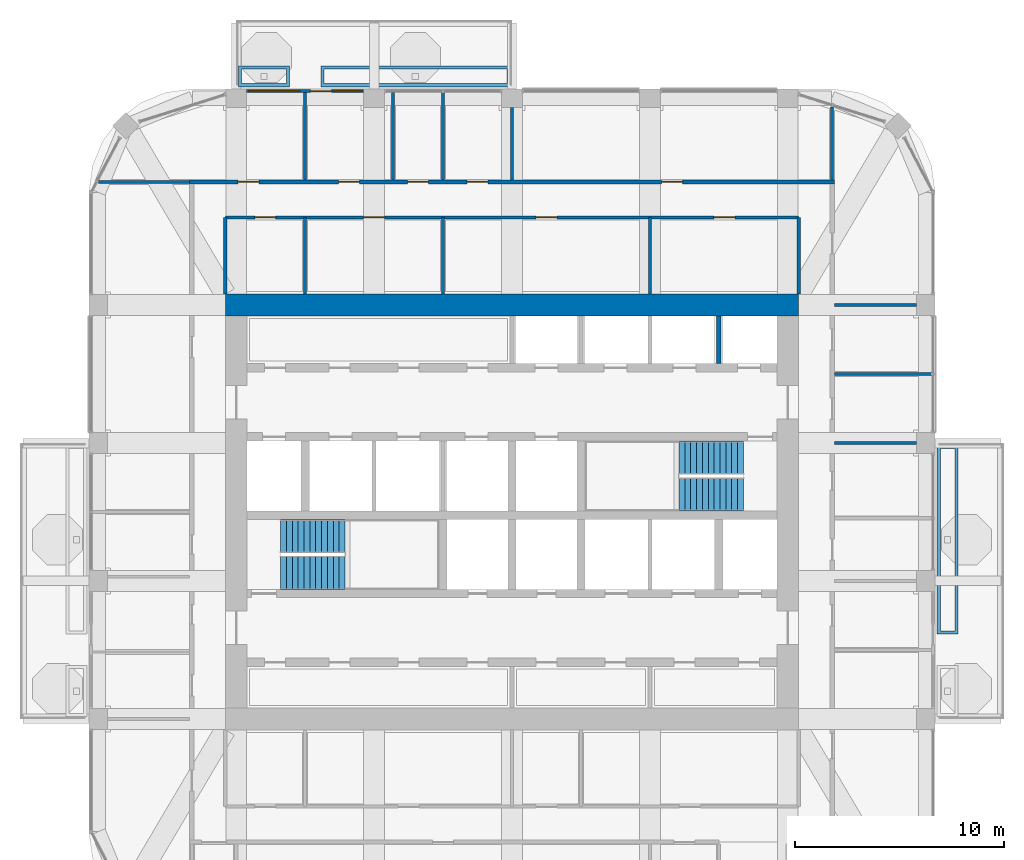
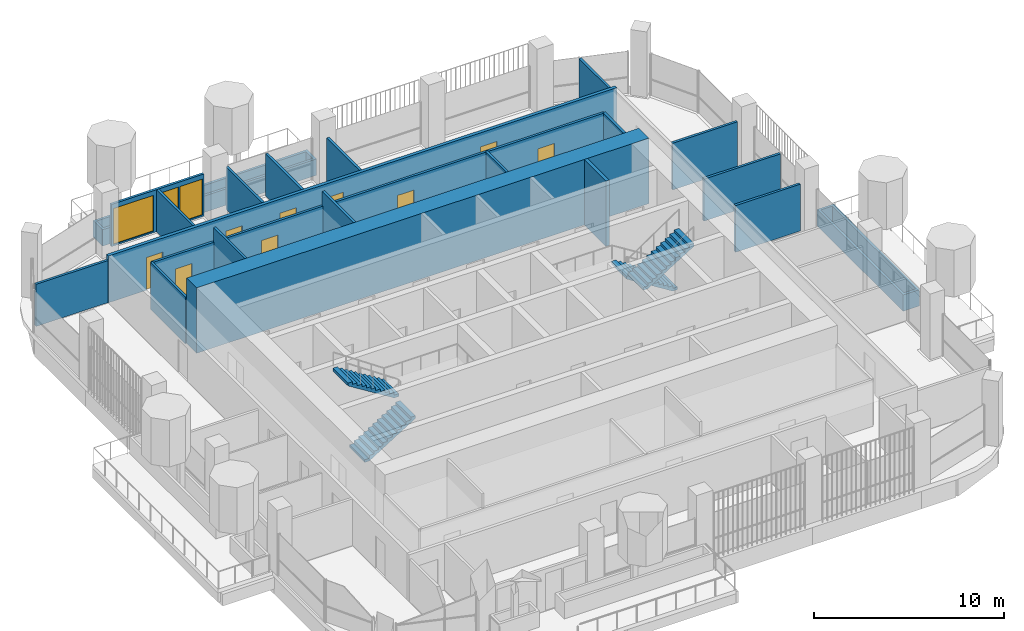
# One storey, part 15 of 20: 22 walls, 10 doors, 4 stair flights, 2 windows, 12 openings, 2 elements without a shape of their own.
"""IFC4 building model written with IfcOpenShell, lengths in metres."""

from ifc_helpers import new_model, si_unit, direction, frame, frame_2d, origin, place, context, subcontext, project, spatial, polyline, rectangle, outline, extrude, material, layer, layer_set, type_object, element, fill, aggregate, save


model = new_model("IFC4")

# Units and contexts
model_context = context("Model", 3, precision=1e-05, world=origin(), true_north=direction((0.0, 1.0)))
body_context = subcontext(model_context, "Body", "Model", "MODEL_VIEW")
ifc_project = project(units=[si_unit("LENGTHUNIT", "METRE"), si_unit("AREAUNIT", "SQUARE_METRE"), si_unit("VOLUMEUNIT", "CUBIC_METRE"), si_unit("PLANEANGLEUNIT", "RADIAN"), si_unit("MASSUNIT", "GRAM", prefix="KILO")], contexts=[model_context])

# Site, building, storey
site_placement = place(None, origin())
site = spatial("IfcSite", under=ifc_project, at=site_placement, CompositionType="ELEMENT")
building_placement = place(site_placement, origin())
building = spatial("IfcBuilding", under=site, at=building_placement, Name="Cobogo Forest Laboratory Tower", CompositionType="ELEMENT")
storey_placement = place(building_placement, frame((0.0, 0.0, 279.60009765625)))
storey = spatial("IfcBuildingStorey", under=building, at=storey_placement, Name="L64", CompositionType="ELEMENT", Elevation=279.60009765625)

# Wall
ifc_material_1 = material(Name="Concrete HA-50 (C50/60)", Category="concrete")
ifc_layer_1 = layer(ifc_material_1, 1.050048828125)
ifc_layer_set_1 = layer_set([ifc_layer_1], Name="CW1050 core outer wall 1050")
wall_type_1 = type_object("IfcWallType", Name="CW1050 core outer wall 1050", PredefinedType="SHEAR", material=ifc_layer_set_1)
wall_1_placement = place(storey_placement, frame((40.125, 33.0, 0.0), z_axis=(0.0, 0.0, 1.0), x_axis=(-1.0, 0.0, 0.0)))
element("IfcWall", 1, at=wall_1_placement, inside=storey, type_object=wall_type_1, Name="Core wall CO-N L64", PredefinedType="SHEAR", context=body_context, shape_type="SweptSolid", body=[
    extrude(rectangle(XDim=27.449951171875, YDim=1.050048828125, at=frame_2d((13.72509765625, 0.0))), origin(), (0.0, 0.0, 1.0), 4.199951171875),
])

# Wall, openings, door, windows
ifc_material_2 = material(Name="Aluminium framed glazed screen", Category="aluminium")
ifc_layer_2 = layer(ifc_material_2, 0.14990234375)
ifc_layer_set_2 = layer_set([ifc_layer_2], Name="GS1 glazed door screen 150")
wall_type_2 = type_object("IfcWallType", Name="GS1 glazed door screen 150", PredefinedType="SOLIDWALL", material=ifc_layer_set_2)
wall_2_placement = place(storey_placement, frame((19.300048828125, 43.25, 0.0), z_axis=(0.0, 0.0, 1.0), x_axis=(-1.0, 0.0, 0.0)))
wall_2 = element("IfcWall", 2, at=wall_2_placement, inside=storey, type_object=wall_type_2, Name="Door screen BAL-N1 L64", PredefinedType="SOLIDWALL", context=body_context, shape_type="SweptSolid", body=[
    extrude(rectangle(XDim=5.60009765625, YDim=0.14990234375, at=frame_2d((2.800048828125, 0.0))), origin(), (0.0, 0.0, 1.0), 2.699951171875),
])
opening_1_placement = place(wall_2_placement, frame((1.550048828125, 0.0, 0.0)))
opening_1 = element("IfcOpeningElement", 3, at=opening_1_placement, cuts=wall_2, Name="Opening L64-D53", PredefinedType="OPENING", context=body_context, shape_type="SweptSolid", body=[
    extrude(rectangle(XDim=1.0, YDim=2.39990234375, at=frame_2d((0.5, 1.199951171875))), frame((0.0, 0.0849609375, 0.0), z_axis=(0.0, -1.0, 0.0), x_axis=(1.0, 0.0, 0.0)), (0.0, 0.0, 1.0), 0.169921875),
])
opening_2_placement = place(wall_2_placement, frame((0.10009765625, 0.0, 0.10009765625)))
opening_2 = element("IfcOpeningElement", 4, at=opening_2_placement, cuts=wall_2, Name="Opening L64-W08", PredefinedType="OPENING", context=body_context, shape_type="SweptSolid", body=[
    extrude(rectangle(XDim=1.35009765625, YDim=2.300048828125, at=frame_2d((0.675048828125, 1.14990234375))), frame((0.0, 0.0849609375, 0.0), z_axis=(0.0, -1.0, 0.0), x_axis=(1.0, 0.0, 0.0)), (0.0, 0.0, 1.0), 0.169921875),
])
opening_3_placement = place(wall_2_placement, frame((3.050048828125, 0.0, 0.10009765625)))
opening_3 = element("IfcOpeningElement", 5, at=opening_3_placement, cuts=wall_2, Name="Opening L64-W07", PredefinedType="OPENING", context=body_context, shape_type="SweptSolid", body=[
    extrude(rectangle(XDim=2.449951171875, YDim=2.300048828125, at=frame_2d((1.22509765625, 1.14990234375))), frame((0.0, 0.0849609375, 0.0), z_axis=(0.0, -1.0, 0.0), x_axis=(1.0, 0.0, 0.0)), (0.0, 0.0, 1.0), 0.169921875),
])
ifc_material_3 = material(Name="Aluminium glazed door", Category="aluminium")
door_type_1 = type_object("IfcDoorType", Name="DB1 balcony door 1000 glazed", OperationType="SINGLE_SWING_LEFT", PredefinedType="DOOR", material=ifc_material_3)
door_1_placement = place(opening_1_placement, origin())
door_1 = element("IfcDoor", 6, at=door_1_placement, inside=storey, type_object=door_type_1, Name="Door L64-BAL-N1", OperationType="SINGLE_SWING_LEFT", OverallHeight=2.39990234375, OverallWidth=1.0, PredefinedType="DOOR", context=body_context, shape_type="SweptSolid", body=[
    extrude(rectangle(XDim=1.0, YDim=2.39990234375, at=frame_2d((0.5, 1.199951171875))), frame((0.0, 0.02490234375, 0.0), z_axis=(0.0, -1.0, 0.0), x_axis=(1.0, 0.0, 0.0)), (0.0, 0.0, 1.0), 0.050048828125),
])
fill(opening_1, door_1)
ifc_material_4 = material(Name="Aluminium framed glazing", Category="aluminium")
window_type_1 = type_object("IfcWindowType", Name="WG23 fixed glazed light 2450x2300", PartitioningType="SINGLE_PANEL", PredefinedType="WINDOW", material=ifc_material_4)
window_1_placement = place(opening_3_placement, origin())
window_1 = element("IfcWindow", 7, at=window_1_placement, inside=storey, type_object=window_type_1, Name="Window L64-BAL-N1-2", OverallHeight=2.300048828125, OverallWidth=2.449951171875, PartitioningType="SINGLE_PANEL", PredefinedType="WINDOW", context=body_context, shape_type="SweptSolid", body=[
    extrude(rectangle(XDim=2.449951171875, YDim=2.300048828125, at=frame_2d((1.22509765625, 1.14990234375))), frame((0.0, 0.030029296875, 0.0), z_axis=(0.0, -1.0, 0.0), x_axis=(1.0, 0.0, 0.0)), (0.0, 0.0, 1.0), 0.06005859375),
])
fill(opening_3, window_1)
window_type_2 = type_object("IfcWindowType", Name="WG24 fixed glazed light 1350x2300", PartitioningType="SINGLE_PANEL", PredefinedType="WINDOW", material=ifc_material_4)
window_2_placement = place(opening_2_placement, origin())
window_2 = element("IfcWindow", 8, at=window_2_placement, inside=storey, type_object=window_type_2, Name="Window L64-BAL-N1-1", OverallHeight=2.300048828125, OverallWidth=1.35009765625, PartitioningType="SINGLE_PANEL", PredefinedType="WINDOW", context=body_context, shape_type="SweptSolid", body=[
    extrude(rectangle(XDim=1.35009765625, YDim=2.300048828125, at=frame_2d((0.675048828125, 1.14990234375))), frame((0.0, 0.030029296875, 0.0), z_axis=(0.0, -1.0, 0.0), x_axis=(1.0, 0.0, 0.0)), (0.0, 0.0, 1.0), 0.06005859375),
])
fill(opening_2, window_2)

# Wall, openings, doors
ifc_material_5 = material(Name="Gypsum board on steel studs", Category="steel")
ifc_layer_3 = layer(ifc_material_5, 0.14990234375)
ifc_layer_set_3 = layer_set([ifc_layer_3], Name="PT1 laboratory partition 150")
wall_type_3 = type_object("IfcWallType", Name="PT1 laboratory partition 150", PredefinedType="PARTITIONING", material=ifc_layer_set_3)
wall_3_placement = place(storey_placement, frame((12.675048828125, 37.199951171875, 0.0), z_axis=(0.0, 0.0, 1.0), x_axis=(1.0, 0.0, 0.0)))
wall_3 = element("IfcWall", 9, at=wall_3_placement, inside=storey, type_object=wall_type_3, Name="Partition CSTRIP-N L64", PredefinedType="PARTITIONING", context=body_context, shape_type="SweptSolid", body=[
    extrude(rectangle(XDim=27.449951171875, YDim=0.14990234375, at=frame_2d((13.72509765625, 0.0))), origin(), (0.0, 0.0, 1.0), 3.0),
])
opening_4_placement = place(wall_3_placement, frame((1.41259765625, 0.0, 0.0)))
opening_4 = element("IfcOpeningElement", 10, at=opening_4_placement, cuts=wall_3, Name="Opening L64-D44", PredefinedType="OPENING", context=body_context, shape_type="SweptSolid", body=[
    extrude(rectangle(XDim=1.0, YDim=2.10009765625, at=frame_2d((0.5, 1.050048828125))), frame((0.0, 0.0849609375, 0.0), z_axis=(0.0, -1.0, 0.0), x_axis=(1.0, 0.0, 0.0)), (0.0, 0.0, 1.0), 0.169921875),
])
opening_5_placement = place(wall_3_placement, frame((6.625, 0.0, 0.0)))
opening_5 = element("IfcOpeningElement", 11, at=opening_5_placement, cuts=wall_3, Name="Opening L64-D45", PredefinedType="OPENING", context=body_context, shape_type="SweptSolid", body=[
    extrude(rectangle(XDim=1.0, YDim=2.10009765625, at=frame_2d((0.5, 1.050048828125))), frame((0.0, 0.0849609375, 0.0), z_axis=(0.0, -1.0, 0.0), x_axis=(1.0, 0.0, 0.0)), (0.0, 0.0, 1.0), 0.169921875),
])
opening_6_placement = place(wall_3_placement, frame((14.875, 0.0, 0.0)))
opening_6 = element("IfcOpeningElement", 12, at=opening_6_placement, cuts=wall_3, Name="Opening L64-D46", PredefinedType="OPENING", context=body_context, shape_type="SweptSolid", body=[
    extrude(rectangle(XDim=1.0, YDim=2.10009765625, at=frame_2d((0.5, 1.050048828125))), frame((0.0, 0.0849609375, 0.0), z_axis=(0.0, -1.0, 0.0), x_axis=(1.0, 0.0, 0.0)), (0.0, 0.0, 1.0), 0.169921875),
])
opening_7_placement = place(wall_3_placement, frame((23.387451171875, 0.0, 0.0)))
opening_7 = element("IfcOpeningElement", 13, at=opening_7_placement, cuts=wall_3, Name="Opening L64-D47", PredefinedType="OPENING", context=body_context, shape_type="SweptSolid", body=[
    extrude(rectangle(XDim=1.0, YDim=2.10009765625, at=frame_2d((0.5, 1.050048828125))), frame((0.0, 0.0849609375, 0.0), z_axis=(0.0, -1.0, 0.0), x_axis=(1.0, 0.0, 0.0)), (0.0, 0.0, 1.0), 0.169921875),
])
ifc_material_6 = material(Name="Timber fire door", Category="wood")
door_type_2 = type_object("IfcDoorType", Name="FD2 fire door 1000 EI2 30", OperationType="SINGLE_SWING_LEFT", PredefinedType="DOOR", material=ifc_material_6)
door_2_placement = place(opening_4_placement, origin())
door_2 = element("IfcDoor", 14, at=door_2_placement, inside=storey, type_object=door_type_2, Name="Door L64-CSN1", OperationType="SINGLE_SWING_LEFT", OverallHeight=2.10009765625, OverallWidth=1.0, PredefinedType="DOOR", context=body_context, shape_type="SweptSolid", body=[
    extrude(rectangle(XDim=1.0, YDim=2.10009765625, at=frame_2d((0.5, 1.050048828125))), frame((0.0, 0.02490234375, 0.0), z_axis=(0.0, -1.0, 0.0), x_axis=(1.0, 0.0, 0.0)), (0.0, 0.0, 1.0), 0.050048828125),
])
fill(opening_4, door_2)
door_3_placement = place(opening_5_placement, origin())
door_3 = element("IfcDoor", 15, at=door_3_placement, inside=storey, type_object=door_type_2, Name="Door L64-CSN2", OperationType="SINGLE_SWING_LEFT", OverallHeight=2.10009765625, OverallWidth=1.0, PredefinedType="DOOR", context=body_context, shape_type="SweptSolid", body=[
    extrude(rectangle(XDim=1.0, YDim=2.10009765625, at=frame_2d((0.5, 1.050048828125))), frame((0.0, 0.02490234375, 0.0), z_axis=(0.0, -1.0, 0.0), x_axis=(1.0, 0.0, 0.0)), (0.0, 0.0, 1.0), 0.050048828125),
])
fill(opening_5, door_3)
door_4_placement = place(opening_6_placement, origin())
door_4 = element("IfcDoor", 16, at=door_4_placement, inside=storey, type_object=door_type_2, Name="Door L64-CSN3", OperationType="SINGLE_SWING_RIGHT", OverallHeight=2.10009765625, OverallWidth=1.0, PredefinedType="DOOR", context=body_context, shape_type="SweptSolid", body=[
    extrude(rectangle(XDim=1.0, YDim=2.10009765625, at=frame_2d((0.5, 1.050048828125))), frame((0.0, 0.02490234375, 0.0), z_axis=(0.0, -1.0, 0.0), x_axis=(1.0, 0.0, 0.0)), (0.0, 0.0, 1.0), 0.050048828125),
])
fill(opening_6, door_4)
door_5_placement = place(opening_7_placement, origin())
door_5 = element("IfcDoor", 17, at=door_5_placement, inside=storey, type_object=door_type_2, Name="Door L64-CSN4", OperationType="SINGLE_SWING_RIGHT", OverallHeight=2.10009765625, OverallWidth=1.0, PredefinedType="DOOR", context=body_context, shape_type="SweptSolid", body=[
    extrude(rectangle(XDim=1.0, YDim=2.10009765625, at=frame_2d((0.5, 1.050048828125))), frame((0.0, 0.02490234375, 0.0), z_axis=(0.0, -1.0, 0.0), x_axis=(1.0, 0.0, 0.0)), (0.0, 0.0, 1.0), 0.050048828125),
])
fill(opening_7, door_5)

# Walls
for number, where, z_axis, x_axis, name in (
    (18, (12.675048828125, 33.52490234375, 0.0), (0.0, 0.0, 1.0), (0.0, 1.0, 0.0), "Partition CSTRIP-NW L64"),
    (19, (40.125, 33.52490234375, 0.0), (0.0, 0.0, 1.0), (0.0, 1.0, 0.0), "Partition CSTRIP-NE L64"),
):
    element("IfcWall", number, at=place(storey_placement, frame(where, z_axis=z_axis, x_axis=x_axis)), inside=storey, type_object=wall_type_3, Name=name, PredefinedType="PARTITIONING", context=body_context, shape_type="SweptSolid", body=[
        extrude(rectangle(XDim=3.675048828125, YDim=0.14990234375, at=frame_2d((1.83740234375, 0.0))), origin(), (0.0, 0.0, 1.0), 3.0),
    ])
for number, where, z_axis, x_axis, name in (
    (20, (16.5, 33.52490234375, 0.0), (0.0, 0.0, 1.0), (0.0, 1.0, 0.0), "Partition CSTRIP-N16.5 L64"),
    (21, (23.10009765625, 33.52490234375, 0.0), (0.0, 0.0, 1.0), (0.0, 1.0, 0.0), "Partition CSTRIP-N23.1 L64"),
):
    element("IfcWall", number, at=place(storey_placement, frame(where, z_axis=z_axis, x_axis=x_axis)), inside=storey, type_object=wall_type_3, Name=name, PredefinedType="PARTITIONING", context=body_context, shape_type="SweptSolid", body=[
        extrude(rectangle(XDim=3.675048828125, YDim=0.14990234375, at=frame_2d((1.83740234375, 0.0))), origin(), (0.0, 0.0, 1.0), 3.89990234375),
    ])
wall_4_placement = place(storey_placement, frame((33.0, 33.52490234375, 0.0), z_axis=(0.0, 0.0, 1.0), x_axis=(0.0, 1.0, 0.0)))
element("IfcWall", 22, at=wall_4_placement, inside=storey, type_object=wall_type_3, Name="Partition CSTRIP-N33 L64", PredefinedType="PARTITIONING", context=body_context, shape_type="SweptSolid", body=[
    extrude(rectangle(XDim=3.675048828125, YDim=0.14990234375, at=frame_2d((1.83740234375, 0.0))), origin(), (0.0, 0.0, 1.0), 3.0),
])
wall_5_placement = place(storey_placement, frame((41.72509765625, 42.4951171875, 0.0), z_axis=(0.0, 0.0, 1.0), x_axis=(0.0, -1.0, 0.0)))
element("IfcWall", 23, at=wall_5_placement, inside=storey, type_object=wall_type_3, Name="Partition PW-NE L64", PredefinedType="PARTITIONING", context=body_context, shape_type="SweptSolid", body=[
    extrude(rectangle(XDim=3.4951171875, YDim=0.14990234375, at=frame_2d((1.74755859375, 0.0))), origin(), (0.0, 0.0, 1.0), 2.699951171875),
])
wall_6_placement = place(storey_placement, frame((6.6025390625, 38.89990234375, 0.0), z_axis=(0.0, 0.0, 1.0), x_axis=(1.0, 0.0, 0.0)))
element("IfcWall", 24, at=wall_6_placement, inside=storey, type_object=wall_type_3, Name="Partition PW-NW L64", PredefinedType="PARTITIONING", context=body_context, shape_type="SweptSolid", body=[
    extrude(rectangle(XDim=4.37255859375, YDim=0.14990234375, at=frame_2d((2.186279296875, 0.0))), origin(), (0.0, 0.0, 1.0), 2.699951171875),
])
wall_7_placement = place(storey_placement, frame((45.75, 26.39990234375, 0.0), z_axis=(0.0, 0.0, 1.0), x_axis=(-1.0, 0.0, 0.0)))
element("IfcWall", 25, at=wall_7_placement, inside=storey, type_object=wall_type_3, Name="Partition SVC-E2-1 L64", PredefinedType="PARTITIONING", context=body_context, shape_type="SweptSolid", body=[
    extrude(rectangle(XDim=3.925048828125, YDim=0.14990234375, at=frame_2d((1.96240234375, 0.0))), origin(), (0.0, 0.0, 1.0), 3.0),
])
wall_8_placement = place(storey_placement, frame((46.469970703125, 29.699951171875, 0.0), z_axis=(0.0, 0.0, 1.0), x_axis=(-1.0, 0.0, 0.0)))
element("IfcWall", 26, at=wall_8_placement, inside=storey, type_object=wall_type_3, Name="Partition CUT-E29.7-1 L64", PredefinedType="PARTITIONING", context=body_context, shape_type="SweptSolid", body=[
    extrude(rectangle(XDim=4.64501953125, YDim=0.14990234375, at=frame_2d((2.322509765625, 0.0))), origin(), (0.0, 0.0, 1.0), 2.699951171875),
])
wall_9_placement = place(storey_placement, frame((45.75, 33.0, 0.0), z_axis=(0.0, 0.0, 1.0), x_axis=(-1.0, 0.0, 0.0)))
element("IfcWall", 27, at=wall_9_placement, inside=storey, type_object=wall_type_3, Name="Partition CUT-E33-1 L64", PredefinedType="PARTITIONING", context=body_context, shape_type="SweptSolid", body=[
    extrude(rectangle(XDim=3.925048828125, YDim=0.14990234375, at=frame_2d((1.96240234375, 0.0))), origin(), (0.0, 0.0, 1.0), 3.0),
])
for number, where, z_axis, x_axis, name in (
    (28, (20.699951171875, 43.169921875, 0.0), (0.0, 0.0, 1.0), (0.0, -1.0, 0.0), "Partition SVC-N1-1 L64"),
    (29, (23.10009765625, 43.169921875, 0.0), (0.0, 0.0, 1.0), (0.0, -1.0, 0.0), "Partition SVC-N2-1 L64"),
    (30, (16.5, 43.169921875, 0.0), (0.0, 0.0, 1.0), (0.0, -1.0, 0.0), "Partition CUT-N16.5-1 L64"),
):
    element("IfcWall", number, at=place(storey_placement, frame(where, z_axis=z_axis, x_axis=x_axis)), inside=storey, type_object=wall_type_3, Name=name, PredefinedType="PARTITIONING", context=body_context, shape_type="SweptSolid", body=[
        extrude(rectangle(XDim=4.169921875, YDim=0.14990234375, at=frame_2d((2.0849609375, 0.0))), origin(), (0.0, 0.0, 1.0), 2.699951171875),
    ])
wall_10_placement = place(storey_placement, frame((26.39990234375, 42.449951171875, 0.0), z_axis=(0.0, 0.0, 1.0), x_axis=(0.0, -1.0, 0.0)))
element("IfcWall", 31, at=wall_10_placement, inside=storey, type_object=wall_type_3, Name="Partition CUT-N26.4-1 L64", PredefinedType="PARTITIONING", context=body_context, shape_type="SweptSolid", body=[
    extrude(rectangle(XDim=3.449951171875, YDim=0.14990234375, at=frame_2d((1.72509765625, 0.0))), origin(), (0.0, 0.0, 1.0), 3.0),
])

# Wall, openings, doors
ifc_layer_4 = layer(ifc_material_5, 0.199951171875)
ifc_layer_set_4 = layer_set([ifc_layer_4], Name="PT2 fire-rated corridor partition 200")
wall_type_4 = type_object("IfcWallType", Name="PT2 fire-rated corridor partition 200", PredefinedType="PARTITIONING", material=ifc_layer_set_4)
wall_11_placement = place(storey_placement, frame((10.97509765625, 38.89990234375, 0.0), z_axis=(0.0, 0.0, 1.0), x_axis=(1.0, 0.0, 0.0)))
wall_11 = element("IfcWall", 32, at=wall_11_placement, inside=storey, type_object=wall_type_4, Name="Partition CORR-N L64", PredefinedType="PARTITIONING", context=body_context, shape_type="SweptSolid", body=[
    extrude(rectangle(XDim=30.849853515625, YDim=0.199951171875, at=frame_2d((15.4248046875, 0.0))), origin(), (0.0, 0.0, 1.0), 3.0),
])
opening_8_placement = place(wall_11_placement, frame((2.3125, 0.0, 0.0)))
opening_8 = element("IfcOpeningElement", 33, at=opening_8_placement, cuts=wall_11, Name="Opening L64-D48", PredefinedType="OPENING", context=body_context, shape_type="SweptSolid", body=[
    extrude(rectangle(XDim=1.0, YDim=2.10009765625, at=frame_2d((0.5, 1.050048828125))), frame((0.0, 0.10986328125, 0.0), z_axis=(0.0, -1.0, 0.0), x_axis=(1.0, 0.0, 0.0)), (0.0, 0.0, 1.0), 0.219970703125),
])
opening_9_placement = place(wall_11_placement, frame((7.125, 0.0, 0.0)))
opening_9 = element("IfcOpeningElement", 34, at=opening_9_placement, cuts=wall_11, Name="Opening L64-D49", PredefinedType="OPENING", context=body_context, shape_type="SweptSolid", body=[
    extrude(rectangle(XDim=1.0, YDim=2.10009765625, at=frame_2d((0.5, 1.050048828125))), frame((0.0, 0.10986328125, 0.0), z_axis=(0.0, -1.0, 0.0), x_axis=(1.0, 0.0, 0.0)), (0.0, 0.0, 1.0), 0.219970703125),
])
opening_10_placement = place(wall_11_placement, frame((10.425048828125, 0.0, 0.0)))
opening_10 = element("IfcOpeningElement", 35, at=opening_10_placement, cuts=wall_11, Name="Opening L64-D50", PredefinedType="OPENING", context=body_context, shape_type="SweptSolid", body=[
    extrude(rectangle(XDim=1.0, YDim=2.10009765625, at=frame_2d((0.5, 1.050048828125))), frame((0.0, 0.10986328125, 0.0), z_axis=(0.0, -1.0, 0.0), x_axis=(1.0, 0.0, 0.0)), (0.0, 0.0, 1.0), 0.219970703125),
])
opening_11_placement = place(wall_11_placement, frame((13.27490234375, 0.0, 0.0)))
opening_11 = element("IfcOpeningElement", 36, at=opening_11_placement, cuts=wall_11, Name="Opening L64-D51", PredefinedType="OPENING", context=body_context, shape_type="SweptSolid", body=[
    extrude(rectangle(XDim=1.0, YDim=2.10009765625, at=frame_2d((0.5, 1.050048828125))), frame((0.0, 0.10986328125, 0.0), z_axis=(0.0, -1.0, 0.0), x_axis=(1.0, 0.0, 0.0)), (0.0, 0.0, 1.0), 0.219970703125),
])
opening_12_placement = place(wall_11_placement, frame((22.58740234375, 0.0, 0.0)))
opening_12 = element("IfcOpeningElement", 37, at=opening_12_placement, cuts=wall_11, Name="Opening L64-D52", PredefinedType="OPENING", context=body_context, shape_type="SweptSolid", body=[
    extrude(rectangle(XDim=1.0, YDim=2.10009765625, at=frame_2d((0.5, 1.050048828125))), frame((0.0, 0.10986328125, 0.0), z_axis=(0.0, -1.0, 0.0), x_axis=(1.0, 0.0, 0.0)), (0.0, 0.0, 1.0), 0.219970703125),
])
door_6_placement = place(opening_8_placement, origin())
door_6 = element("IfcDoor", 38, at=door_6_placement, inside=storey, type_object=door_type_2, Name="Door L64-N1", OperationType="SINGLE_SWING_LEFT", OverallHeight=2.10009765625, OverallWidth=1.0, PredefinedType="DOOR", context=body_context, shape_type="SweptSolid", body=[
    extrude(rectangle(XDim=1.0, YDim=2.10009765625, at=frame_2d((0.5, 1.050048828125))), frame((0.0, 0.02490234375, 0.0), z_axis=(0.0, -1.0, 0.0), x_axis=(1.0, 0.0, 0.0)), (0.0, 0.0, 1.0), 0.050048828125),
])
fill(opening_8, door_6)
door_7_placement = place(opening_9_placement, origin())
door_7 = element("IfcDoor", 39, at=door_7_placement, inside=storey, type_object=door_type_2, Name="Door L64-MTG", OperationType="SINGLE_SWING_LEFT", OverallHeight=2.10009765625, OverallWidth=1.0, PredefinedType="DOOR", context=body_context, shape_type="SweptSolid", body=[
    extrude(rectangle(XDim=1.0, YDim=2.10009765625, at=frame_2d((0.5, 1.050048828125))), frame((0.0, 0.02490234375, 0.0), z_axis=(0.0, -1.0, 0.0), x_axis=(1.0, 0.0, 0.0)), (0.0, 0.0, 1.0), 0.050048828125),
])
fill(opening_9, door_7)
door_8_placement = place(opening_10_placement, origin())
door_8 = element("IfcDoor", 40, at=door_8_placement, inside=storey, type_object=door_type_2, Name="Door L64-PAN", OperationType="SINGLE_SWING_LEFT", OverallHeight=2.10009765625, OverallWidth=1.0, PredefinedType="DOOR", context=body_context, shape_type="SweptSolid", body=[
    extrude(rectangle(XDim=1.0, YDim=2.10009765625, at=frame_2d((0.5, 1.050048828125))), frame((0.0, 0.02490234375, 0.0), z_axis=(0.0, -1.0, 0.0), x_axis=(1.0, 0.0, 0.0)), (0.0, 0.0, 1.0), 0.050048828125),
])
fill(opening_10, door_8)
door_9_placement = place(opening_11_placement, origin())
door_9 = element("IfcDoor", 41, at=door_9_placement, inside=storey, type_object=door_type_2, Name="Door L64-N2", OperationType="SINGLE_SWING_LEFT", OverallHeight=2.10009765625, OverallWidth=1.0, PredefinedType="DOOR", context=body_context, shape_type="SweptSolid", body=[
    extrude(rectangle(XDim=1.0, YDim=2.10009765625, at=frame_2d((0.5, 1.050048828125))), frame((0.0, 0.02490234375, 0.0), z_axis=(0.0, -1.0, 0.0), x_axis=(1.0, 0.0, 0.0)), (0.0, 0.0, 1.0), 0.050048828125),
])
fill(opening_11, door_9)
door_10_placement = place(opening_12_placement, origin())
door_10 = element("IfcDoor", 42, at=door_10_placement, inside=storey, type_object=door_type_2, Name="Door L64-N3", OperationType="SINGLE_SWING_RIGHT", OverallHeight=2.10009765625, OverallWidth=1.0, PredefinedType="DOOR", context=body_context, shape_type="SweptSolid", body=[
    extrude(rectangle(XDim=1.0, YDim=2.10009765625, at=frame_2d((0.5, 1.050048828125))), frame((0.0, 0.02490234375, 0.0), z_axis=(0.0, -1.0, 0.0), x_axis=(1.0, 0.0, 0.0)), (0.0, 0.0, 1.0), 0.050048828125),
])
fill(opening_12, door_10)

# Walls
ifc_material_7 = material(Name="Concrete HA-40 (C40/50)", Category="concrete")
ifc_layer_5 = layer(ifc_material_7, 0.14990234375)
ifc_layer_set_5 = layer_set([ifc_layer_5], Name="Planter box 1000x1050")
wall_type_5 = type_object("IfcWallType", Name="Planter box 1000x1050", PredefinedType="USERDEFINED", material=ifc_layer_set_5)
wall_12_placement = place(storey_placement, origin())
element("IfcWall", 43, at=wall_12_placement, inside=storey, type_object=wall_type_5, Name="Planter BAL-E1-2 L64", ObjectType="PLANTER", PredefinedType="USERDEFINED", context=body_context, shape_type="SweptSolid", body=[
    extrude(outline(polyline([(46.75, 17.25), (47.75, 17.25), (47.75, 26.300048828125), (46.75, 26.300048828125), (46.75, 17.25)]), holes=[polyline([(46.89990234375, 17.39990234375), (47.60009765625, 17.39990234375), (47.60009765625, 26.14990234375), (46.89990234375, 26.14990234375), (46.89990234375, 17.39990234375)])]), origin(), (0.0, 0.0, 1.0), 1.0498046875),
])
wall_13_placement = place(storey_placement, origin())
element("IfcWall", 44, at=wall_13_placement, inside=storey, type_object=wall_type_5, Name="Planter BAL-N1-1 L64", ObjectType="PLANTER", PredefinedType="USERDEFINED", context=body_context, shape_type="SweptSolid", body=[
    extrude(outline(polyline([(13.300048828125, 43.449951171875), (15.75, 43.449951171875), (15.75, 44.449951171875), (13.300048828125, 44.449951171875), (13.300048828125, 43.449951171875)]), holes=[polyline([(13.449951171875, 43.60009765625), (15.60009765625, 43.60009765625), (15.60009765625, 44.300048828125), (13.449951171875, 44.300048828125), (13.449951171875, 43.60009765625)])]), origin(), (0.0, 0.0, 1.0), 1.0498046875),
])
wall_14_placement = place(storey_placement, origin())
element("IfcWall", 45, at=wall_14_placement, inside=storey, type_object=wall_type_5, Name="Planter BAL-N1-2 L64", ObjectType="PLANTER", PredefinedType="USERDEFINED", context=body_context, shape_type="SweptSolid", body=[
    extrude(outline(polyline([(17.25, 43.449951171875), (26.300048828125, 43.449951171875), (26.300048828125, 44.449951171875), (17.25, 44.449951171875), (17.25, 43.449951171875)]), holes=[polyline([(17.39990234375, 43.60009765625), (26.14990234375, 43.60009765625), (26.14990234375, 44.300048828125), (17.39990234375, 44.300048828125), (17.39990234375, 43.60009765625)])]), origin(), (0.0, 0.0, 1.0), 1.0498046875),
])
ifc_material_8 = material(Name="Concrete block", Category="concrete")
ifc_layer_6 = layer(ifc_material_8, 0.199951171875)
ifc_layer_set_6 = layer_set([ifc_layer_6], Name="SW200 lift shaft separator 200")
wall_type_6 = type_object("IfcWallType", Name="SW200 lift shaft separator 200", PredefinedType="PARTITIONING", material=ifc_layer_set_6)
wall_15_placement = place(storey_placement, frame((36.300048828125, 30.199951171875, 0.0), z_axis=(0.0, 0.0, 1.0), x_axis=(0.0, 1.0, 0.0)))
element("IfcWall", 46, at=wall_15_placement, inside=storey, type_object=wall_type_6, Name="Core wall SEP-N7 L64", PredefinedType="PARTITIONING", context=body_context, shape_type="SweptSolid", body=[
    extrude(rectangle(XDim=2.275146484375, YDim=0.199951171875, at=frame_2d((1.1376953125, 0.0))), origin(), (0.0, 0.0, 1.0), 4.199951171875),
])

# Stair, stair flights
ifc_material_9 = material(Name="Precast concrete HA-40 (C40/50)", Category="concrete")
stair_type = type_object("IfcStairType", Name="ST24 exit stair 24 risers", PredefinedType="HALF_TURN_STAIR", material=ifc_material_9)
stair_1_placement = place(storey_placement, origin())
stair_1 = element("IfcStair", 47, at=stair_1_placement, inside=storey, type_object=stair_type, Name="Stair 1 L64 to L65", PredefinedType="HALF_TURN_STAIR")
stair_flight_type = type_object("IfcStairFlightType", Name="ST stair flight 280 going", PredefinedType="STRAIGHT", material=ifc_material_9)
stair_flight_1_placement = place(storey_placement, frame((15.324951171875, 20.199951171875, 0.0), z_axis=(0.0, 0.0, 1.0), x_axis=(1.0, 0.0, 0.0)))
stair_flight_1 = element("IfcStairFlight", 48, at=stair_flight_1_placement, type_object=stair_flight_type, Name="ST1 flight 1", NumberOfRisers=12, NumberOfTreads=11, PredefinedType="STRAIGHT", RiserHeight=0.175, TreadLength=0.28, context=body_context, shape_type="SweptSolid", body=[
    extrude(outline(polyline([(0.0, 0.0), (0.0, 0.175048828125), (0.280029296875, 0.175048828125), (0.280029296875, 0.35009765625), (0.56005859375, 0.35009765625), (0.56005859375, 0.52490234375), (0.840087890625, 0.52490234375), (0.840087890625, 0.699951171875), (1.1201171875, 0.699951171875), (1.1201171875, 0.875), (1.39990234375, 0.875), (1.39990234375, 1.050048828125), (1.679931640625, 1.050048828125), (1.679931640625, 1.22509765625), (1.9599609375, 1.22509765625), (1.9599609375, 1.39990234375), (2.239990234375, 1.39990234375), (2.239990234375, 1.574951171875), (2.52001953125, 1.574951171875), (2.52001953125, 1.75), (2.800048828125, 1.75), (2.800048828125, 1.925048828125), (3.080078125, 1.925048828125), (3.080078125, 2.10009765625), (3.080078125, 1.748291015625), (0.28271484375, 0.0), (0.0, 0.0)])), frame((0.0, 0.800048828125, 0.0), z_axis=(0.0, -1.0, 0.0), x_axis=(1.0, 0.0, 0.0)), (0.0, 0.0, 1.0), 1.60009765625),
])
stair_flight_2_placement = place(storey_placement, frame((18.405029296875, 21.949951171875, 2.099853515625), z_axis=(0.0, 0.0, 1.0), x_axis=(-1.0, 0.0, 0.0)))
stair_flight_2 = element("IfcStairFlight", 49, at=stair_flight_2_placement, type_object=stair_flight_type, Name="ST1 flight 2", NumberOfRisers=12, NumberOfTreads=11, PredefinedType="STRAIGHT", RiserHeight=0.175, TreadLength=0.28, context=body_context, shape_type="SweptSolid", body=[
    extrude(outline(polyline([(0.0, 0.0), (0.0, 0.175048828125), (0.280029296875, 0.175048828125), (0.280029296875, 0.35009765625), (0.56005859375, 0.35009765625), (0.56005859375, 0.52490234375), (0.840087890625, 0.52490234375), (0.840087890625, 0.699951171875), (1.1201171875, 0.699951171875), (1.1201171875, 0.875), (1.39990234375, 0.875), (1.39990234375, 1.050048828125), (1.679931640625, 1.050048828125), (1.679931640625, 1.22509765625), (1.9599609375, 1.22509765625), (1.9599609375, 1.39990234375), (2.239990234375, 1.39990234375), (2.239990234375, 1.574951171875), (2.52001953125, 1.574951171875), (2.52001953125, 1.75), (2.800048828125, 1.75), (2.800048828125, 1.925048828125), (3.080078125, 1.925048828125), (3.080078125, 2.10009765625), (3.080078125, 1.748291015625), (0.28271484375, 0.0), (0.0, 0.0)])), frame((0.0, 0.800048828125, 0.0), z_axis=(0.0, -1.0, 0.0), x_axis=(1.0, 0.0, 0.0)), (0.0, 0.0, 1.0), 1.60009765625),
])
aggregate(stair_1, [stair_flight_1, stair_flight_2])

stair_2_placement = place(storey_placement, origin())
stair_2 = element("IfcStair", 50, at=stair_2_placement, inside=storey, type_object=stair_type, Name="Stair 2 L64 to L65", PredefinedType="HALF_TURN_STAIR")
stair_flight_3_placement = place(storey_placement, frame((37.47509765625, 25.699951171875, 0.0), z_axis=(0.0, 0.0, 1.0), x_axis=(-1.0, 0.0, 0.0)))
stair_flight_3 = element("IfcStairFlight", 51, at=stair_flight_3_placement, type_object=stair_flight_type, Name="ST2 flight 1", NumberOfRisers=12, NumberOfTreads=11, PredefinedType="STRAIGHT", RiserHeight=0.175, TreadLength=0.28, context=body_context, shape_type="SweptSolid", body=[
    extrude(outline(polyline([(0.0, 0.0), (0.0, 0.175048828125), (0.280029296875, 0.175048828125), (0.280029296875, 0.35009765625), (0.56005859375, 0.35009765625), (0.56005859375, 0.52490234375), (0.840087890625, 0.52490234375), (0.840087890625, 0.699951171875), (1.1201171875, 0.699951171875), (1.1201171875, 0.875), (1.39990234375, 0.875), (1.39990234375, 1.050048828125), (1.679931640625, 1.050048828125), (1.679931640625, 1.22509765625), (1.9599609375, 1.22509765625), (1.9599609375, 1.39990234375), (2.239990234375, 1.39990234375), (2.239990234375, 1.574951171875), (2.52001953125, 1.574951171875), (2.52001953125, 1.75), (2.800048828125, 1.75), (2.800048828125, 1.925048828125), (3.080078125, 1.925048828125), (3.080078125, 2.10009765625), (3.080078125, 1.748291015625), (0.28271484375, 0.0), (0.0, 0.0)])), frame((0.0, 0.800048828125, 0.0), z_axis=(0.0, -1.0, 0.0), x_axis=(1.0, 0.0, 0.0)), (0.0, 0.0, 1.0), 1.60009765625),
])
stair_flight_4_placement = place(storey_placement, frame((34.39501953125, 23.949951171875, 2.099853515625), z_axis=(0.0, 0.0, 1.0), x_axis=(1.0, 0.0, 0.0)))
stair_flight_4 = element("IfcStairFlight", 52, at=stair_flight_4_placement, type_object=stair_flight_type, Name="ST2 flight 2", NumberOfRisers=12, NumberOfTreads=11, PredefinedType="STRAIGHT", RiserHeight=0.175, TreadLength=0.28, context=body_context, shape_type="SweptSolid", body=[
    extrude(outline(polyline([(0.0, 0.0), (0.0, 0.175048828125), (0.280029296875, 0.175048828125), (0.280029296875, 0.35009765625), (0.56005859375, 0.35009765625), (0.56005859375, 0.52490234375), (0.840087890625, 0.52490234375), (0.840087890625, 0.699951171875), (1.1201171875, 0.699951171875), (1.1201171875, 0.875), (1.39990234375, 0.875), (1.39990234375, 1.050048828125), (1.679931640625, 1.050048828125), (1.679931640625, 1.22509765625), (1.9599609375, 1.22509765625), (1.9599609375, 1.39990234375), (2.239990234375, 1.39990234375), (2.239990234375, 1.574951171875), (2.52001953125, 1.574951171875), (2.52001953125, 1.75), (2.800048828125, 1.75), (2.800048828125, 1.925048828125), (3.080078125, 1.925048828125), (3.080078125, 2.10009765625), (3.080078125, 1.748291015625), (0.28271484375, 0.0), (0.0, 0.0)])), frame((0.0, 0.800048828125, 0.0), z_axis=(0.0, -1.0, 0.0), x_axis=(1.0, 0.0, 0.0)), (0.0, 0.0, 1.0), 1.60009765625),
])
aggregate(stair_2, [stair_flight_3, stair_flight_4])

save(model, "model.ifc")
